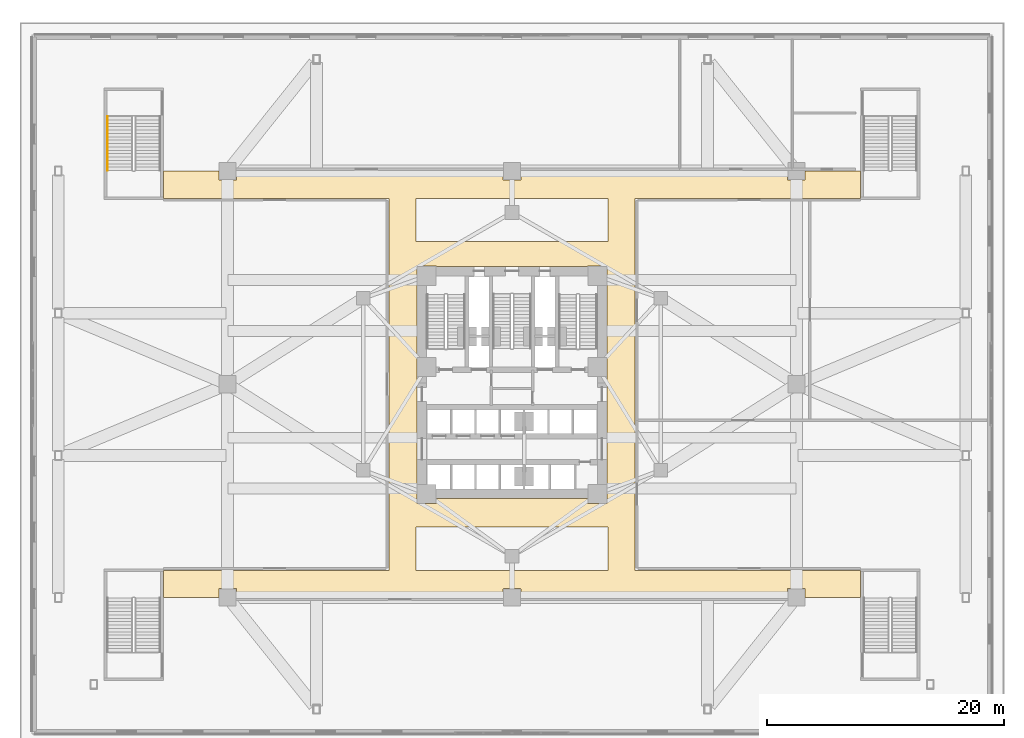
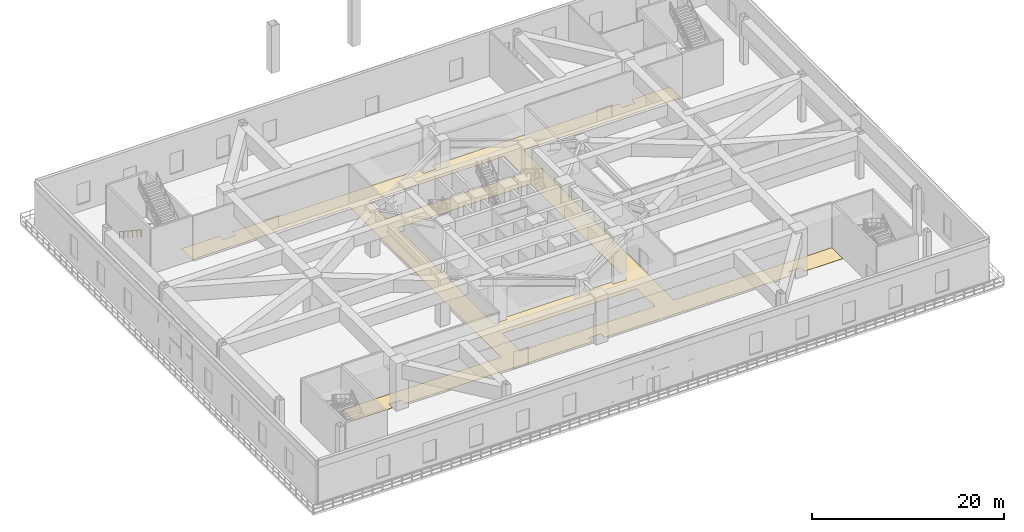
# One storey, part 20 of 25: 1 covering, 1 railing.
"""IFC4 building model written with IfcOpenShell, lengths in metres."""

from ifc_helpers import new_model, si_unit, direction, frame, origin, origin_2d, place, context, subcontext, project, spatial, polyline, rectangle, outline, extrude, material, layer, layer_set, type_object, element, save


model = new_model("IFC4")

# Units and contexts
model_context = context("Model", 3, precision=1e-05, world=origin(), true_north=direction((0.0, 1.0)))
body_context = subcontext(model_context, "Body", "Model", "MODEL_VIEW")
ifc_project = project(units=[si_unit("LENGTHUNIT", "METRE"), si_unit("AREAUNIT", "SQUARE_METRE"), si_unit("VOLUMEUNIT", "CUBIC_METRE"), si_unit("PLANEANGLEUNIT", "RADIAN"), si_unit("MASSUNIT", "GRAM", prefix="KILO")], contexts=[model_context])

# Site, building, storey
site_placement = place(None, origin())
site = spatial("IfcSite", under=ifc_project, at=site_placement, CompositionType="ELEMENT")
building_placement = place(site_placement, origin())
building = spatial("IfcBuilding", under=site, at=building_placement, Name="Apsidion Concourse Tower", CompositionType="ELEMENT")
storey_placement = place(building_placement, frame((0.0, 0.0, 11.5)))
storey = spatial("IfcBuildingStorey", under=building, at=storey_placement, Name="L02", CompositionType="ELEMENT", Elevation=11.5)

# Covering
ifc_material_1 = material(Name="Honed travertine floor finish", Category="masonry")
ifc_layer = layer(ifc_material_1, 0.02001953125)
ifc_layer_set = layer_set([ifc_layer], Name="Honed travertine floor finish")
covering_type = type_object("IfcCoveringType", Name="COV-FLOR-20", PredefinedType="FLOORING", material=ifc_layer_set)
covering_placement = place(storey_placement, origin())
element("IfcCovering", 1, at=covering_placement, inside=storey, type_object=covering_type, Name="L02 Honed Travertine Floor Finish 2", PredefinedType="FLOORING", context=body_context, shape_type="SweptSolid", body=[
    extrude(outline(polyline([(8.10009765625, -18.0), (0.7451171875, -18.0), (0.7451171875, -17.27490234375), (0.744873046875, -17.27294921875), (0.74462890625, -17.27099609375), (0.744140625, -17.269287109375), (0.743408203125, -17.267333984375), (0.74267578125, -17.265625), (0.74169921875, -17.263916015625), (0.740478515625, -17.26220703125), (0.739013671875, -17.260986328125), (0.73779296875, -17.259521484375), (0.736083984375, -17.25830078125), (0.734375, -17.25732421875), (0.732666015625, -17.256591796875), (0.730712890625, -17.255859375), (0.72900390625, -17.25537109375), (0.72705078125, -17.255126953125), (0.72509765625, -17.2548828125), (-0.72509765625, -17.2548828125), (-0.72705078125, -17.255126953125), (-0.72900390625, -17.25537109375), (-0.730712890625, -17.255859375), (-0.732666015625, -17.256591796875), (-0.734375, -17.25732421875), (-0.736083984375, -17.25830078125), (-0.73779296875, -17.259521484375), (-0.739013671875, -17.260986328125), (-0.740478515625, -17.26220703125), (-0.74169921875, -17.263916015625), (-0.74267578125, -17.265625), (-0.743408203125, -17.267333984375), (-0.744140625, -17.269287109375), (-0.74462890625, -17.27099609375), (-0.744873046875, -17.27294921875), (-0.7451171875, -17.27490234375), (-0.7451171875, -18.0), (-8.10009765625, -18.0), (-10.39990234375, -18.0), (-23.2548828125, -18.0), (-23.2548828125, -17.27490234375), (-23.255126953125, -17.27294921875), (-23.25537109375, -17.27099609375), (-23.255859375, -17.269287109375), (-23.256591796875, -17.267333984375), (-23.25732421875, -17.265625), (-23.25830078125, -17.263916015625), (-23.259521484375, -17.26220703125), (-23.260986328125, -17.260986328125), (-23.26220703125, -17.259521484375), (-23.263916015625, -17.25830078125), (-23.265625, -17.25732421875), (-23.267333984375, -17.256591796875), (-23.269287109375, -17.255859375), (-23.27099609375, -17.25537109375), (-23.27294921875, -17.255126953125), (-23.27490234375, -17.2548828125), (-24.72509765625, -17.2548828125), (-24.72705078125, -17.255126953125), (-24.72900390625, -17.25537109375), (-24.730712890625, -17.255859375), (-24.732666015625, -17.256591796875), (-24.734375, -17.25732421875), (-24.736083984375, -17.25830078125), (-24.73779296875, -17.259521484375), (-24.739013671875, -17.260986328125), (-24.740478515625, -17.26220703125), (-24.74169921875, -17.263916015625), (-24.74267578125, -17.265625), (-24.743408203125, -17.267333984375), (-24.744140625, -17.269287109375), (-24.74462890625, -17.27099609375), (-24.744873046875, -17.27294921875), (-24.7451171875, -17.27490234375), (-24.7451171875, -18.0), (-29.39990234375, -18.0), (-29.39990234375, -15.699951171875), (-10.39990234375, -15.699951171875), (-10.39990234375, -12.050048828125), (-10.39990234375, 12.050048828125), (-10.39990234375, 15.699951171875), (-29.39990234375, 15.699951171875), (-29.39990234375, 18.0), (-24.7451171875, 18.0), (-24.7451171875, 17.27490234375), (-24.744873046875, 17.27294921875), (-24.74462890625, 17.27099609375), (-24.744140625, 17.269287109375), (-24.743408203125, 17.267333984375), (-24.74267578125, 17.265625), (-24.74169921875, 17.263916015625), (-24.740478515625, 17.26220703125), (-24.739013671875, 17.260986328125), (-24.73779296875, 17.259521484375), (-24.736083984375, 17.25830078125), (-24.734375, 17.25732421875), (-24.732666015625, 17.256591796875), (-24.730712890625, 17.255859375), (-24.72900390625, 17.25537109375), (-24.72705078125, 17.255126953125), (-24.72509765625, 17.2548828125), (-23.27490234375, 17.2548828125), (-23.27294921875, 17.255126953125), (-23.27099609375, 17.25537109375), (-23.269287109375, 17.255859375), (-23.267333984375, 17.256591796875), (-23.265625, 17.25732421875), (-23.263916015625, 17.25830078125), (-23.26220703125, 17.259521484375), (-23.260986328125, 17.260986328125), (-23.259521484375, 17.26220703125), (-23.25830078125, 17.263916015625), (-23.25732421875, 17.265625), (-23.256591796875, 17.267333984375), (-23.255859375, 17.269287109375), (-23.25537109375, 17.27099609375), (-23.255126953125, 17.27294921875), (-23.2548828125, 17.27490234375), (-23.2548828125, 18.0), (-10.39990234375, 18.0), (-8.10009765625, 18.0), (-0.7451171875, 18.0), (-0.7451171875, 17.27490234375), (-0.744873046875, 17.27294921875), (-0.74462890625, 17.27099609375), (-0.744140625, 17.269287109375), (-0.743408203125, 17.267333984375), (-0.74267578125, 17.265625), (-0.74169921875, 17.263916015625), (-0.740478515625, 17.26220703125), (-0.739013671875, 17.260986328125), (-0.73779296875, 17.259521484375), (-0.736083984375, 17.25830078125), (-0.734375, 17.25732421875), (-0.732666015625, 17.256591796875), (-0.730712890625, 17.255859375), (-0.72900390625, 17.25537109375), (-0.72705078125, 17.255126953125), (-0.72509765625, 17.2548828125), (0.72509765625, 17.2548828125), (0.72705078125, 17.255126953125), (0.72900390625, 17.25537109375), (0.730712890625, 17.255859375), (0.732666015625, 17.256591796875), (0.734375, 17.25732421875), (0.736083984375, 17.25830078125), (0.73779296875, 17.259521484375), (0.739013671875, 17.260986328125), (0.740478515625, 17.26220703125), (0.74169921875, 17.263916015625), (0.74267578125, 17.265625), (0.743408203125, 17.267333984375), (0.744140625, 17.269287109375), (0.74462890625, 17.27099609375), (0.744873046875, 17.27294921875), (0.7451171875, 17.27490234375), (0.7451171875, 18.0), (8.10009765625, 18.0), (10.39990234375, 18.0), (23.2548828125, 18.0), (23.2548828125, 17.27490234375), (23.255126953125, 17.27294921875), (23.25537109375, 17.27099609375), (23.255859375, 17.269287109375), (23.256591796875, 17.267333984375), (23.25732421875, 17.265625), (23.25830078125, 17.263916015625), (23.259521484375, 17.26220703125), (23.260986328125, 17.260986328125), (23.26220703125, 17.259521484375), (23.263916015625, 17.25830078125), (23.265625, 17.25732421875), (23.267333984375, 17.256591796875), (23.269287109375, 17.255859375), (23.27099609375, 17.25537109375), (23.27294921875, 17.255126953125), (23.27490234375, 17.2548828125), (24.72509765625, 17.2548828125), (24.72705078125, 17.255126953125), (24.72900390625, 17.25537109375), (24.730712890625, 17.255859375), (24.732666015625, 17.256591796875), (24.734375, 17.25732421875), (24.736083984375, 17.25830078125), (24.73779296875, 17.259521484375), (24.739013671875, 17.260986328125), (24.740478515625, 17.26220703125), (24.74169921875, 17.263916015625), (24.74267578125, 17.265625), (24.743408203125, 17.267333984375), (24.744140625, 17.269287109375), (24.74462890625, 17.27099609375), (24.744873046875, 17.27294921875), (24.7451171875, 17.27490234375), (24.7451171875, 18.0), (29.39990234375, 18.0), (29.39990234375, 15.699951171875), (10.39990234375, 15.699951171875), (10.39990234375, 12.050048828125), (10.39990234375, -12.050048828125), (10.39990234375, -15.699951171875), (29.39990234375, -15.699951171875), (29.39990234375, -18.0), (24.7451171875, -18.0), (24.7451171875, -17.27490234375), (24.744873046875, -17.27294921875), (24.74462890625, -17.27099609375), (24.744140625, -17.269287109375), (24.743408203125, -17.267333984375), (24.74267578125, -17.265625), (24.74169921875, -17.263916015625), (24.740478515625, -17.26220703125), (24.739013671875, -17.260986328125), (24.73779296875, -17.259521484375), (24.736083984375, -17.25830078125), (24.734375, -17.25732421875), (24.732666015625, -17.256591796875), (24.730712890625, -17.255859375), (24.72900390625, -17.25537109375), (24.72705078125, -17.255126953125), (24.72509765625, -17.2548828125), (23.27490234375, -17.2548828125), (23.27294921875, -17.255126953125), (23.27099609375, -17.25537109375), (23.269287109375, -17.255859375), (23.267333984375, -17.256591796875), (23.265625, -17.25732421875), (23.263916015625, -17.25830078125), (23.26220703125, -17.259521484375), (23.260986328125, -17.260986328125), (23.259521484375, -17.26220703125), (23.25830078125, -17.263916015625), (23.25732421875, -17.265625), (23.256591796875, -17.267333984375), (23.255859375, -17.269287109375), (23.25537109375, -17.27099609375), (23.255126953125, -17.27294921875), (23.2548828125, -17.27490234375), (23.2548828125, -18.0), (10.39990234375, -18.0), (8.10009765625, -18.0)]), holes=[polyline([(8.10009765625, -12.050048828125), (-8.10009765625, -12.050048828125), (-8.10009765625, -15.699951171875), (8.10009765625, -15.699951171875), (8.10009765625, -12.050048828125)]), polyline([(-8.10009765625, 15.699951171875), (-8.10009765625, 12.050048828125), (8.10009765625, 12.050048828125), (8.10009765625, 15.699951171875), (-8.10009765625, 15.699951171875)]), polyline([(6.3798828125, -9.64990234375), (6.3798828125, -10.050048828125), (6.380126953125, -10.052001953125), (6.38037109375, -10.053955078125), (6.380859375, -10.055908203125), (6.381591796875, -10.0576171875), (6.38232421875, -10.059326171875), (6.38330078125, -10.06103515625), (6.384521484375, -10.062744140625), (6.385986328125, -10.064208984375), (6.38720703125, -10.0654296875), (6.388916015625, -10.066650390625), (6.390625, -10.067626953125), (6.392333984375, -10.068603515625), (6.394287109375, -10.069091796875), (6.39599609375, -10.069580078125), (6.39794921875, -10.06982421875), (6.39990234375, -10.070068359375), (8.0, -10.070068359375), (8.001953125, -10.06982421875), (8.00390625, -10.069580078125), (8.005859375, -10.069091796875), (8.0078125, -10.068603515625), (8.009521484375, -10.067626953125), (8.010986328125, -10.066650390625), (8.0126953125, -10.0654296875), (8.01416015625, -10.064208984375), (8.015380859375, -10.062744140625), (8.0166015625, -10.06103515625), (8.017578125, -10.059326171875), (8.0185546875, -10.0576171875), (8.01904296875, -10.055908203125), (8.01953125, -10.053955078125), (8.02001953125, -10.052001953125), (8.02001953125, -10.050048828125), (8.02001953125, -8.449951171875), (8.02001953125, -8.447998046875), (8.01953125, -8.446044921875), (8.01904296875, -8.444091796875), (8.0185546875, -8.4423828125), (8.017578125, -8.440673828125), (8.0166015625, -8.43896484375), (8.015380859375, -8.437255859375), (8.01416015625, -8.435791015625), (8.0126953125, -8.4345703125), (8.010986328125, -8.433349609375), (8.009521484375, -8.432373046875), (8.0078125, -8.431396484375), (8.005859375, -8.430908203125), (8.00390625, -8.430419921875), (8.001953125, -8.43017578125), (8.0, -8.429931640625), (8.0, 0.6298828125), (8.001953125, 0.630126953125), (8.00390625, 0.63037109375), (8.005859375, 0.630859375), (8.0078125, 0.631591796875), (8.009521484375, 0.63232421875), (8.010986328125, 0.63330078125), (8.0126953125, 0.634521484375), (8.01416015625, 0.635986328125), (8.015380859375, 0.63720703125), (8.0166015625, 0.638916015625), (8.017578125, 0.640625), (8.0185546875, 0.642333984375), (8.01904296875, 0.644287109375), (8.01953125, 0.64599609375), (8.02001953125, 0.64794921875), (8.02001953125, 0.64990234375), (8.02001953125, 2.25), (8.02001953125, 2.251953125), (8.01953125, 2.25390625), (8.01904296875, 2.255859375), (8.0185546875, 2.2578125), (8.017578125, 2.259521484375), (8.0166015625, 2.260986328125), (8.015380859375, 2.2626953125), (8.01416015625, 2.26416015625), (8.0126953125, 2.265380859375), (8.010986328125, 2.2666015625), (8.009521484375, 2.267578125), (8.0078125, 2.2685546875), (8.005859375, 2.26904296875), (8.00390625, 2.26953125), (8.001953125, 2.27001953125), (8.0, 2.27001953125), (8.0, 8.330078125), (8.001953125, 8.330078125), (8.00390625, 8.330322265625), (8.005859375, 8.330810546875), (8.0078125, 8.33154296875), (8.009521484375, 8.33251953125), (8.010986328125, 8.33349609375), (8.0126953125, 8.33447265625), (8.01416015625, 8.3359375), (8.015380859375, 8.33740234375), (8.0166015625, 8.3388671875), (8.017578125, 8.340576171875), (8.0185546875, 8.34228515625), (8.01904296875, 8.34423828125), (8.01953125, 8.34619140625), (8.02001953125, 8.347900390625), (8.02001953125, 8.35009765625), (8.02001953125, 9.949951171875), (8.02001953125, 9.951904296875), (8.01953125, 9.953857421875), (8.01904296875, 9.955810546875), (8.0185546875, 9.957763671875), (8.017578125, 9.95947265625), (8.0166015625, 9.961181640625), (8.015380859375, 9.962646484375), (8.01416015625, 9.964111328125), (8.0126953125, 9.965576171875), (8.010986328125, 9.966552734375), (8.009521484375, 9.967529296875), (8.0078125, 9.968505859375), (8.005859375, 9.968994140625), (8.00390625, 9.969482421875), (8.001953125, 9.969970703125), (8.0, 9.969970703125), (6.39990234375, 9.969970703125), (6.39794921875, 9.969970703125), (6.39599609375, 9.969482421875), (6.394287109375, 9.968994140625), (6.392333984375, 9.968505859375), (6.390625, 9.967529296875), (6.388916015625, 9.966552734375), (6.38720703125, 9.965576171875), (6.385986328125, 9.964111328125), (6.384521484375, 9.962646484375), (6.38330078125, 9.961181640625), (6.38232421875, 9.95947265625), (6.381591796875, 9.957763671875), (6.380859375, 9.955810546875), (6.38037109375, 9.953857421875), (6.380126953125, 9.951904296875), (6.3798828125, 9.949951171875), (6.3798828125, 9.949951171875), (-6.3798828125, 9.949951171875), (-6.3798828125, 9.949951171875), (-6.380126953125, 9.951904296875), (-6.38037109375, 9.953857421875), (-6.380859375, 9.955810546875), (-6.381591796875, 9.957763671875), (-6.38232421875, 9.95947265625), (-6.38330078125, 9.961181640625), (-6.384521484375, 9.962646484375), (-6.385986328125, 9.964111328125), (-6.38720703125, 9.965576171875), (-6.388916015625, 9.966552734375), (-6.390625, 9.967529296875), (-6.392333984375, 9.968505859375), (-6.394287109375, 9.968994140625), (-6.39599609375, 9.969482421875), (-6.39794921875, 9.969970703125), (-6.39990234375, 9.969970703125), (-8.0, 9.969970703125), (-8.001953125, 9.969970703125), (-8.00390625, 9.969482421875), (-8.005859375, 9.968994140625), (-8.0078125, 9.968505859375), (-8.009521484375, 9.967529296875), (-8.010986328125, 9.966552734375), (-8.0126953125, 9.965576171875), (-8.01416015625, 9.964111328125), (-8.015380859375, 9.962646484375), (-8.0166015625, 9.961181640625), (-8.017578125, 9.95947265625), (-8.0185546875, 9.957763671875), (-8.01904296875, 9.955810546875), (-8.01953125, 9.953857421875), (-8.02001953125, 9.951904296875), (-8.02001953125, 9.949951171875), (-8.02001953125, 8.35009765625), (-8.02001953125, 8.347900390625), (-8.01953125, 8.34619140625), (-8.01904296875, 8.34423828125), (-8.0185546875, 8.34228515625), (-8.017578125, 8.340576171875), (-8.0166015625, 8.3388671875), (-8.015380859375, 8.33740234375), (-8.01416015625, 8.3359375), (-8.0126953125, 8.33447265625), (-8.010986328125, 8.33349609375), (-8.009521484375, 8.33251953125), (-8.0078125, 8.33154296875), (-8.005859375, 8.330810546875), (-8.00390625, 8.330322265625), (-8.001953125, 8.330078125), (-8.0, 8.330078125), (-8.0, 2.27001953125), (-8.001953125, 2.27001953125), (-8.00390625, 2.26953125), (-8.005859375, 2.26904296875), (-8.0078125, 2.2685546875), (-8.009521484375, 2.267578125), (-8.010986328125, 2.2666015625), (-8.0126953125, 2.265380859375), (-8.01416015625, 2.26416015625), (-8.015380859375, 2.2626953125), (-8.0166015625, 2.260986328125), (-8.017578125, 2.259521484375), (-8.0185546875, 2.2578125), (-8.01904296875, 2.255859375), (-8.01953125, 2.25390625), (-8.02001953125, 2.251953125), (-8.02001953125, 2.25), (-8.02001953125, 0.64990234375), (-8.02001953125, 0.64794921875), (-8.01953125, 0.64599609375), (-8.01904296875, 0.644287109375), (-8.0185546875, 0.642333984375), (-8.017578125, 0.640625), (-8.0166015625, 0.638916015625), (-8.015380859375, 0.63720703125), (-8.01416015625, 0.635986328125), (-8.0126953125, 0.634521484375), (-8.010986328125, 0.63330078125), (-8.009521484375, 0.63232421875), (-8.0078125, 0.631591796875), (-8.005859375, 0.630859375), (-8.00390625, 0.63037109375), (-8.001953125, 0.630126953125), (-8.0, 0.6298828125), (-8.0, -8.429931640625), (-8.001953125, -8.43017578125), (-8.00390625, -8.430419921875), (-8.005859375, -8.430908203125), (-8.0078125, -8.431396484375), (-8.009521484375, -8.432373046875), (-8.010986328125, -8.433349609375), (-8.0126953125, -8.4345703125), (-8.01416015625, -8.435791015625), (-8.015380859375, -8.437255859375), (-8.0166015625, -8.43896484375), (-8.017578125, -8.440673828125), (-8.0185546875, -8.4423828125), (-8.01904296875, -8.444091796875), (-8.01953125, -8.446044921875), (-8.02001953125, -8.447998046875), (-8.02001953125, -8.449951171875), (-8.02001953125, -10.050048828125), (-8.02001953125, -10.052001953125), (-8.01953125, -10.053955078125), (-8.01904296875, -10.055908203125), (-8.0185546875, -10.0576171875), (-8.017578125, -10.059326171875), (-8.0166015625, -10.06103515625), (-8.015380859375, -10.062744140625), (-8.01416015625, -10.064208984375), (-8.0126953125, -10.0654296875), (-8.010986328125, -10.066650390625), (-8.009521484375, -10.067626953125), (-8.0078125, -10.068603515625), (-8.005859375, -10.069091796875), (-8.00390625, -10.069580078125), (-8.001953125, -10.06982421875), (-8.0, -10.070068359375), (-6.39990234375, -10.070068359375), (-6.39794921875, -10.06982421875), (-6.39599609375, -10.069580078125), (-6.394287109375, -10.069091796875), (-6.392333984375, -10.068603515625), (-6.390625, -10.067626953125), (-6.388916015625, -10.066650390625), (-6.38720703125, -10.0654296875), (-6.385986328125, -10.064208984375), (-6.384521484375, -10.062744140625), (-6.38330078125, -10.06103515625), (-6.38232421875, -10.059326171875), (-6.381591796875, -10.0576171875), (-6.380859375, -10.055908203125), (-6.38037109375, -10.053955078125), (-6.380126953125, -10.052001953125), (-6.3798828125, -10.050048828125), (-6.3798828125, -9.64990234375), (6.3798828125, -9.64990234375)])]), origin(), (0.0, 0.0, 1.0), 0.02001953125),
])

# Railing
ifc_material_2 = material(Name="Brushed stainless steel 316", Category="steel")
railing_type = type_object("IfcRailingType", Name="RL-HAND-900", PredefinedType="HANDRAIL", material=ifc_material_2)
railing_placement = place(storey_placement, frame((-34.14990234375, 22.60009765625, 0.176513671875)))
element("IfcRailing", 2, at=railing_placement, inside=storey, type_object=railing_type, Name="L02 ST-P3 stair handrail 1", PredefinedType="HANDRAIL", context=body_context, shape_type="SweptSolid", body=[
    extrude(rectangle(XDim=0.048095703125, YDim=0.048095703125, at=origin_2d()), frame((0.0, 0.0, 0.8759765625), z_axis=(0.0, -0.835420324919, 0.549611572578), x_axis=(1.0, 0.0, 0.0)), (0.0, 0.0, 1.0), 5.45849609375),
    extrude(rectangle(XDim=0.0419921875, YDim=0.0419921875, at=origin_2d()), origin(), (0.0, 0.0, 1.0), 0.851806640625),
    extrude(rectangle(XDim=0.0419921875, YDim=0.0419921875, at=origin_2d()), frame((0.0, -0.912109375, 0.60009765625)), (0.0, 0.0, 1.0), 0.851806640625),
    extrude(rectangle(XDim=0.0419921875, YDim=0.0419921875, at=origin_2d()), frame((0.0, -1.823974609375, 1.199951171875)), (0.0, 0.0, 1.0), 0.851806640625),
    extrude(rectangle(XDim=0.0419921875, YDim=0.0419921875, at=origin_2d()), frame((0.0, -2.736083984375, 1.800048828125)), (0.0, 0.0, 1.0), 0.851806640625),
    extrude(rectangle(XDim=0.0419921875, YDim=0.0419921875, at=origin_2d()), frame((0.0, -3.64794921875, 2.39990234375)), (0.0, 0.0, 1.0), 0.851806640625),
    extrude(rectangle(XDim=0.0419921875, YDim=0.0419921875, at=origin_2d()), frame((0.0, -4.56005859375, 3.0)), (0.0, 0.0, 1.0), 0.851806640625),
])

save(model, "model.ifc")
